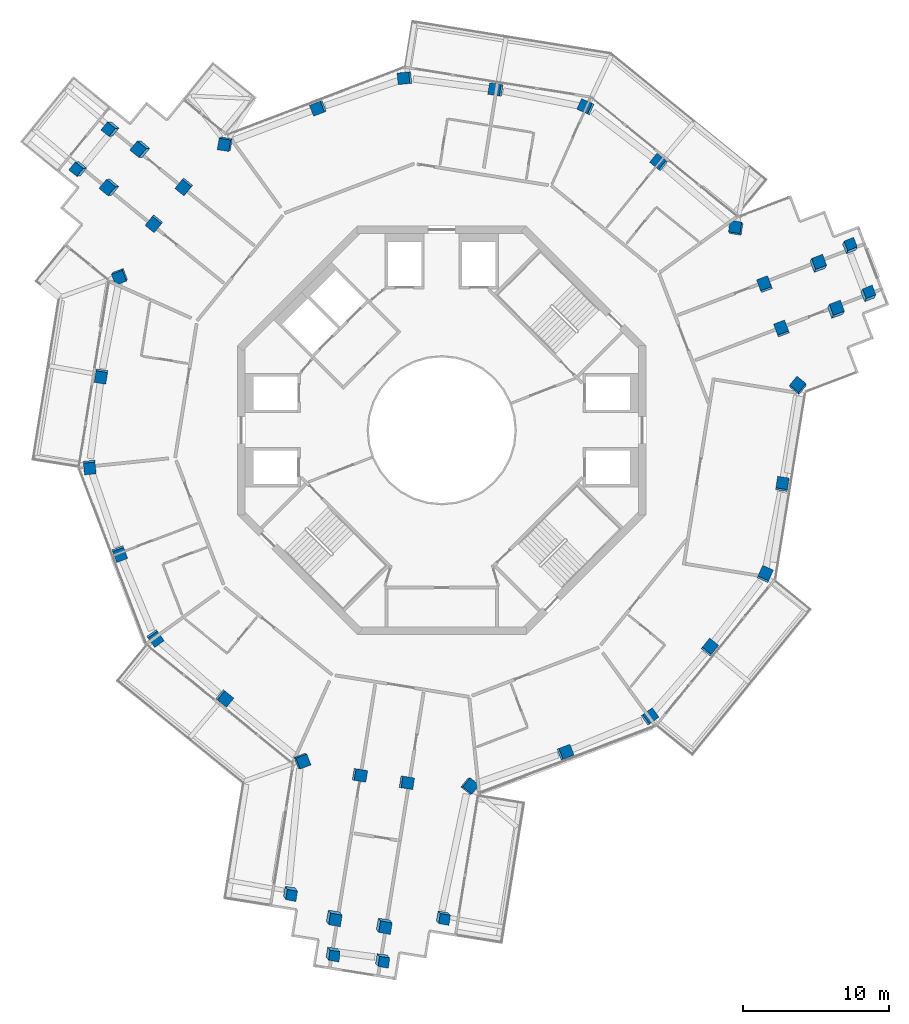
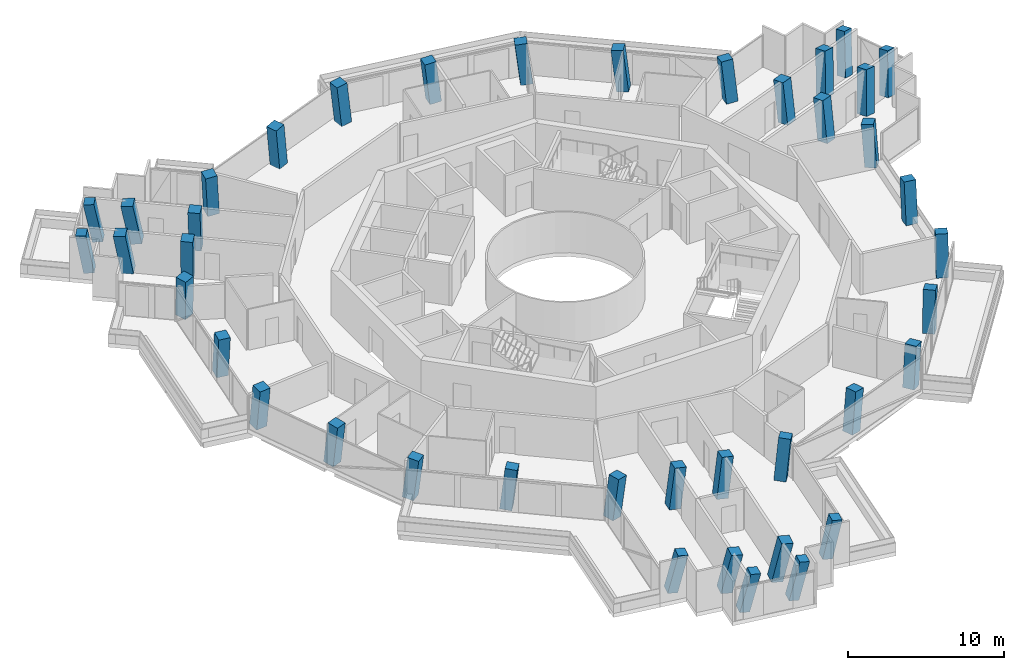
# One storey, part 1 of 23: 41 columns.
"""IFC4 building model written with IfcOpenShell, lengths in metres."""

from ifc_helpers import new_model, si_unit, direction, frame, origin, origin_2d, place, context, subcontext, project, spatial, rectangle, extrude, material, material_profile, profile_set, type_object, element, save


model = new_model("IFC4")

# Units and contexts
model_context = context("Model", 3, precision=1e-05, world=origin(), true_north=direction((0.0, 1.0)))
body_context = subcontext(model_context, "Body", "Model", "MODEL_VIEW")
ifc_project = project(units=[si_unit("LENGTHUNIT", "METRE"), si_unit("AREAUNIT", "SQUARE_METRE"), si_unit("VOLUMEUNIT", "CUBIC_METRE"), si_unit("PLANEANGLEUNIT", "RADIAN"), si_unit("MASSUNIT", "GRAM", prefix="KILO")], contexts=[model_context])

# Site, building, storey
site_placement = place(None, origin())
site = spatial("IfcSite", under=ifc_project, at=site_placement, CompositionType="ELEMENT")
building_placement = place(site_placement, origin())
building = spatial("IfcBuilding", under=site, at=building_placement, Name="Verdalira Terraces Hotel", CompositionType="ELEMENT")
storey_placement = place(building_placement, frame((0.0, 0.0, 241.0)))
storey = spatial("IfcBuildingStorey", under=building, at=storey_placement, Name="L59", CompositionType="ELEMENT", Elevation=241.0)

# Columns
ifc_material_1 = material(Name="Concrete C50", Category="concrete")
ifc_material_profile_1 = material_profile(ifc_material_1, rectangle(XDim=0.699951, YDim=0.699951, at=origin_2d()), Name="RC 700X700")
ifc_profile_set_1 = profile_set([ifc_material_profile_1], Name="Concrete C50")
column_type_1 = type_object("IfcColumnType", Name="Column RC 700X700 C50", PredefinedType="COLUMN", material=ifc_profile_set_1)
column_1_placement = place(storey_placement, frame((-10.452637, -31.674561, 0.0), z_axis=(0.126605952, -0.195453985, 0.972506387), x_axis=(-0.183132411, -0.968148438, -0.170736994)))
element("IfcColumn", 1, at=column_1_placement, inside=storey, type_object=column_type_1, Name="Column C08", PredefinedType="COLUMN", context=body_context, shape_type="SweptSolid", body=[
    extrude(rectangle(XDim=0.699951, YDim=0.699951, at=origin_2d()), origin(), (0.0, 0.0, 1.0), 3.280029),
])
column_2_placement = place(storey_placement, frame((-7.537598, -35.849365, 0.0), z_axis=(0.146022744, -0.181746963, 0.972443006), x_axis=(0.976870851, -0.128721957, -0.170745418)))
element("IfcColumn", 2, at=column_2_placement, inside=storey, type_object=column_type_1, Name="Column C09", PredefinedType="COLUMN", context=body_context, shape_type="SweptSolid", body=[
    extrude(rectangle(XDim=0.699951, YDim=0.699951, at=origin_2d()), origin(), (0.0, 0.0, 1.0), 3.280273),
])
column_3_placement = place(storey_placement, frame((-4.14502, -36.29248, 0.0), z_axis=(0.148249972, -0.166380191, 0.974853619), x_axis=(0.976422975, -0.13177416, -0.170978787)))
element("IfcColumn", 3, at=column_3_placement, inside=storey, type_object=column_type_1, Name="Column C10", PredefinedType="COLUMN", context=body_context, shape_type="SweptSolid", body=[
    extrude(rectangle(XDim=0.699951, YDim=0.699951, at=origin_2d()), origin(), (0.0, 0.0, 1.0), 3.272217),
])
column_4_placement = place(storey_placement, frame((0.030029, -33.377441, 0.0), z_axis=(0.135123141, -0.147720637, 0.97975525), x_axis=(0.176756141, 0.976556422, 0.122860982)))
element("IfcColumn", 4, at=column_4_placement, inside=storey, type_object=column_type_1, Name="Column C11", PredefinedType="COLUMN", context=body_context, shape_type="SweptSolid", body=[
    extrude(rectangle(XDim=0.699951, YDim=0.699951, at=origin_2d()), origin(), (0.0, 0.0, 1.0), 3.255859),
])
column_5_placement = place(storey_placement, frame((29.209229, 9.258545, 0.0), z_axis=(0.095014741, 0.192122647, 0.976760507), x_axis=(-0.374327363, 0.916082858, -0.143774902)))
element("IfcColumn", 5, at=column_5_placement, inside=storey, type_object=column_type_1, Name="Column C19", PredefinedType="COLUMN", context=body_context, shape_type="SweptSolid", body=[
    extrude(rectangle(XDim=0.699951, YDim=0.699951, at=origin_2d()), origin(), (0.0, 0.0, 1.0), 3.265869),
])
column_6_placement = place(storey_placement, frame((27.95459, 12.547363, 0.0), z_axis=(0.07988733, 0.186603614, 0.979181855), x_axis=(-0.372145474, 0.91687811, -0.144368546)))
element("IfcColumn", 6, at=column_6_placement, inside=storey, type_object=column_type_1, Name="Column C20", PredefinedType="COLUMN", context=body_context, shape_type="SweptSolid", body=[
    extrude(rectangle(XDim=0.699951, YDim=0.699951, at=origin_2d()), origin(), (0.0, 0.0, 1.0), 3.257812),
])
column_7_placement = place(storey_placement, frame((-22.622803, 20.666504, 0.0), z_axis=(-0.213877307, -0.013755129, 0.976763684), x_axis=(-0.606262924, -0.782161644, -0.14376519)))
element("IfcColumn", 7, at=column_7_placement, inside=storey, type_object=column_type_1, Name="Column C28", PredefinedType="COLUMN", context=body_context, shape_type="SweptSolid", body=[
    extrude(rectangle(XDim=0.699951, YDim=0.699951, at=origin_2d()), origin(), (0.0, 0.0, 1.0), 3.265869),
])
column_8_placement = place(storey_placement, frame((-24.843506, 17.935791, 0.0), z_axis=(-0.201589972, -0.024130844, 0.979172705), x_axis=(-0.607928582, -0.780750598, -0.144399937)))
element("IfcColumn", 8, at=column_8_placement, inside=storey, type_object=column_type_1, Name="Column C29", PredefinedType="COLUMN", context=body_context, shape_type="SweptSolid", body=[
    extrude(rectangle(XDim=0.699951, YDim=0.699951, at=origin_2d()), origin(), (0.0, 0.0, 1.0), 3.257812),
])
ifc_material_2 = material(Name="Concrete C50", Category="concrete")
ifc_material_profile_2 = material_profile(ifc_material_2, rectangle(XDim=0.800049, YDim=0.800049, at=origin_2d()), Name="RC 800X800")
ifc_profile_set_2 = profile_set([ifc_material_profile_2], Name="Concrete C50")
column_type_2 = type_object("IfcColumnType", Name="Column RC 800X800 C50", PredefinedType="COLUMN", material=ifc_profile_set_2)
column_9_placement = place(storey_placement, frame((-22.079834, 10.583984, 0.0), z_axis=(-0.0494849, -0.105430961, 0.993194622), x_axis=(-0.361383921, 0.928926692, 0.080603122)))
element("IfcColumn", 9, at=column_9_placement, inside=storey, type_object=column_type_2, Name="Column C01", PredefinedType="COLUMN", context=body_context, shape_type="SweptSolid", body=[
    extrude(rectangle(XDim=0.800049, YDim=0.800049, at=origin_2d()), origin(), (0.0, 0.0, 1.0), 3.211914),
])
column_10_placement = place(storey_placement, frame((-23.359375, 3.75, 0.0), z_axis=(-0.016882596, -0.111333877, 0.993639646), x_axis=(-0.157302824, -0.981109815, -0.112602632)))
element("IfcColumn", 10, at=column_10_placement, inside=storey, type_object=column_type_2, Name="Column C02", PredefinedType="COLUMN", context=body_context, shape_type="SweptSolid", body=[
    extrude(rectangle(XDim=0.800049, YDim=0.800049, at=origin_2d()), origin(), (0.0, 0.0, 1.0), 3.210449),
])
column_11_placement = place(storey_placement, frame((-24.158203, -2.488037, 0.0), z_axis=(0.012847755, -0.114793547, 0.993306285), x_axis=(-0.10209663, 0.988045851, 0.115506166)))
element("IfcColumn", 11, at=column_11_placement, inside=storey, type_object=column_type_2, Name="Column C03", PredefinedType="COLUMN", context=body_context, shape_type="SweptSolid", body=[
    extrude(rectangle(XDim=0.800049, YDim=0.800049, at=origin_2d()), origin(), (0.0, 0.0, 1.0), 3.211426),
])
column_12_placement = place(storey_placement, frame((-22.104736, -8.432129, 0.0), z_axis=(0.040990103, -0.104794735, 0.993648768), x_axis=(0.354093219, -0.928416268, -0.112522108)))
element("IfcColumn", 12, at=column_12_placement, inside=storey, type_object=column_type_2, Name="Column C04", PredefinedType="COLUMN", context=body_context, shape_type="SweptSolid", body=[
    extrude(rectangle(XDim=0.800049, YDim=0.800049, at=origin_2d()), origin(), (0.0, 0.0, 1.0), 3.210449),
])
column_13_placement = place(storey_placement, frame((-19.67749, -14.233643, 0.0), z_axis=(0.068496241, -0.092975475, 0.993309532), x_axis=(-0.582352668, 0.804692577, 0.115478247)))
element("IfcColumn", 13, at=column_13_placement, inside=storey, type_object=column_type_2, Name="Column C05", PredefinedType="COLUMN", context=body_context, shape_type="SweptSolid", body=[
    extrude(rectangle(XDim=0.800049, YDim=0.800049, at=origin_2d()), origin(), (0.0, 0.0, 1.0), 3.211426),
])
column_14_placement = place(storey_placement, frame((-14.927002, -18.354736, 0.0), z_axis=(0.087836342, -0.070269074, 0.993653377), x_axis=(0.770618179, -0.627292241, -0.112481404)))
element("IfcColumn", 14, at=column_14_placement, inside=storey, type_object=column_type_2, Name="Column C06", PredefinedType="COLUMN", context=body_context, shape_type="SweptSolid", body=[
    extrude(rectangle(XDim=0.800049, YDim=0.800049, at=origin_2d()), origin(), (0.0, 0.0, 1.0), 3.210205),
])
column_15_placement = place(storey_placement, frame((-9.615479, -22.674561, 0.0), z_axis=(0.108159867, -0.044768912, 0.993124961), x_axis=(-0.349087537, 0.933659879, 0.080106937)))
element("IfcColumn", 15, at=column_15_placement, inside=storey, type_object=column_type_2, Name="Column C07", PredefinedType="COLUMN", context=body_context, shape_type="SweptSolid", body=[
    extrude(rectangle(XDim=0.800049, YDim=0.800049, at=origin_2d()), origin(), (0.0, 0.0, 1.0), 3.211914),
])
column_16_placement = place(storey_placement, frame((1.874023, -24.413818, 0.0), z_axis=(0.115997442, 0.009957841, 0.993199595), x_axis=(-0.623107576, -0.777974818, 0.080573769)))
element("IfcColumn", 16, at=column_16_placement, inside=storey, type_object=column_type_2, Name="Column C12", PredefinedType="COLUMN", context=body_context, shape_type="SweptSolid", body=[
    extrude(rectangle(XDim=0.800049, YDim=0.800049, at=origin_2d()), origin(), (0.0, 0.0, 1.0), 3.21167),
])
column_17_placement = place(storey_placement, frame((8.432129, -22.104736, 0.0), z_axis=(0.104794735, 0.040990103, 0.993648768), x_axis=(0.928416268, 0.354093219, -0.112522108)))
element("IfcColumn", 17, at=column_17_placement, inside=storey, type_object=column_type_2, Name="Column C13", PredefinedType="COLUMN", context=body_context, shape_type="SweptSolid", body=[
    extrude(rectangle(XDim=0.800049, YDim=0.800049, at=origin_2d()), origin(), (0.0, 0.0, 1.0), 3.210449),
])
column_18_placement = place(storey_placement, frame((14.233643, -19.67749, 0.0), z_axis=(0.092975475, 0.068496241, 0.993309532), x_axis=(-0.804692577, -0.582352668, 0.115478247)))
element("IfcColumn", 18, at=column_18_placement, inside=storey, type_object=column_type_2, Name="Column C14", PredefinedType="COLUMN", context=body_context, shape_type="SweptSolid", body=[
    extrude(rectangle(XDim=0.800049, YDim=0.800049, at=origin_2d()), origin(), (0.0, 0.0, 1.0), 3.211426),
])
column_19_placement = place(storey_placement, frame((18.354736, -14.927002, 0.0), z_axis=(0.070269074, 0.087836342, 0.993653377), x_axis=(0.627292241, 0.770618179, -0.112481404)))
element("IfcColumn", 19, at=column_19_placement, inside=storey, type_object=column_type_2, Name="Column C15", PredefinedType="COLUMN", context=body_context, shape_type="SweptSolid", body=[
    extrude(rectangle(XDim=0.800049, YDim=0.800049, at=origin_2d()), origin(), (0.0, 0.0, 1.0), 3.210205),
])
column_20_placement = place(storey_placement, frame((22.165527, -9.924316, 0.0), z_axis=(0.046297918, 0.10574779, 0.993314607), x_axis=(-0.406090601, -0.906512702, 0.115434589)))
element("IfcColumn", 20, at=column_20_placement, inside=storey, type_object=column_type_2, Name="Column C16", PredefinedType="COLUMN", context=body_context, shape_type="SweptSolid", body=[
    extrude(rectangle(XDim=0.800049, YDim=0.800049, at=origin_2d()), origin(), (0.0, 0.0, 1.0), 3.211426),
])
column_21_placement = place(storey_placement, frame((23.359375, -3.75, 0.0), z_axis=(0.016882596, 0.111333877, 0.993639646), x_axis=(0.157302824, 0.981109815, -0.112602632)))
element("IfcColumn", 21, at=column_21_placement, inside=storey, type_object=column_type_2, Name="Column C17", PredefinedType="COLUMN", context=body_context, shape_type="SweptSolid", body=[
    extrude(rectangle(XDim=0.800049, YDim=0.800049, at=origin_2d()), origin(), (0.0, 0.0, 1.0), 3.210449),
])
column_22_placement = place(storey_placement, frame((24.444336, 3.01001, 0.0), z_axis=(-0.015277664, 0.11606464, 0.993124158), x_axis=(-0.634242484, -0.768972433, 0.0801116)))
element("IfcColumn", 22, at=column_22_placement, inside=storey, type_object=column_type_2, Name="Column C18", PredefinedType="COLUMN", context=body_context, shape_type="SweptSolid", body=[
    extrude(rectangle(XDim=0.800049, YDim=0.800049, at=origin_2d()), origin(), (0.0, 0.0, 1.0), 3.211914),
])
column_23_placement = place(storey_placement, frame((20.205811, 13.829834, 0.0), z_axis=(-0.066512326, 0.095549708, 0.993200062), x_axis=(0.985129194, -0.151752375, 0.080571007)))
element("IfcColumn", 23, at=column_23_placement, inside=storey, type_object=column_type_2, Name="Column C21", PredefinedType="COLUMN", context=body_context, shape_type="SweptSolid", body=[
    extrude(rectangle(XDim=0.800049, YDim=0.800049, at=origin_2d()), origin(), (0.0, 0.0, 1.0), 3.21167),
])
column_24_placement = place(storey_placement, frame((14.927002, 18.354736, 0.0), z_axis=(-0.087836342, 0.070269074, 0.993653377), x_axis=(-0.770618179, 0.627292241, -0.112481404)))
element("IfcColumn", 24, at=column_24_placement, inside=storey, type_object=column_type_2, Name="Column C22", PredefinedType="COLUMN", context=body_context, shape_type="SweptSolid", body=[
    extrude(rectangle(XDim=0.800049, YDim=0.800049, at=origin_2d()), origin(), (0.0, 0.0, 1.0), 3.210205),
])
column_25_placement = place(storey_placement, frame((9.924316, 22.165527, 0.0), z_axis=(-0.10574779, 0.046297918, 0.993314607), x_axis=(0.906512702, -0.406090601, 0.115434589)))
element("IfcColumn", 25, at=column_25_placement, inside=storey, type_object=column_type_2, Name="Column C23", PredefinedType="COLUMN", context=body_context, shape_type="SweptSolid", body=[
    extrude(rectangle(XDim=0.800049, YDim=0.800049, at=origin_2d()), origin(), (0.0, 0.0, 1.0), 3.211426),
])
column_26_placement = place(storey_placement, frame((3.75, 23.359375, 0.0), z_axis=(-0.111333877, 0.016882596, 0.993639646), x_axis=(-0.981109815, 0.157302824, -0.112602632)))
element("IfcColumn", 26, at=column_26_placement, inside=storey, type_object=column_type_2, Name="Column C24", PredefinedType="COLUMN", context=body_context, shape_type="SweptSolid", body=[
    extrude(rectangle(XDim=0.800049, YDim=0.800049, at=origin_2d()), origin(), (0.0, 0.0, 1.0), 3.210449),
])
column_27_placement = place(storey_placement, frame((-2.488037, 24.158203, 0.0), z_axis=(-0.114793547, -0.012847755, 0.993306285), x_axis=(0.988045851, 0.10209663, 0.115506166)))
element("IfcColumn", 27, at=column_27_placement, inside=storey, type_object=column_type_2, Name="Column C25", PredefinedType="COLUMN", context=body_context, shape_type="SweptSolid", body=[
    extrude(rectangle(XDim=0.800049, YDim=0.800049, at=origin_2d()), origin(), (0.0, 0.0, 1.0), 3.211426),
])
column_28_placement = place(storey_placement, frame((-8.432129, 22.104736, 0.0), z_axis=(-0.104794735, -0.040990103, 0.993648768), x_axis=(-0.928416268, -0.354093219, -0.112522108)))
element("IfcColumn", 28, at=column_28_placement, inside=storey, type_object=column_type_2, Name="Column C26", PredefinedType="COLUMN", context=body_context, shape_type="SweptSolid", body=[
    extrude(rectangle(XDim=0.800049, YDim=0.800049, at=origin_2d()), origin(), (0.0, 0.0, 1.0), 3.210449),
])
column_29_placement = place(storey_placement, frame((-14.828857, 19.664551, 0.0), z_axis=(-0.092881848, -0.071295559, 0.993121295), x_axis=(0.983100572, -0.164598703, 0.08012822)))
element("IfcColumn", 29, at=column_29_placement, inside=storey, type_object=column_type_2, Name="Column C27", PredefinedType="COLUMN", context=body_context, shape_type="SweptSolid", body=[
    extrude(rectangle(XDim=0.800049, YDim=0.800049, at=origin_2d()), origin(), (0.0, 0.0, 1.0), 3.211914),
])
for number, where, z_axis, x_axis, name in (
    (30, (-17.648926, 16.746094, 0.0), (-0.078909339, -0.084610881, 0.993284609), (-0.77537447, 0.631453444, -0.007808895), "Column C30"),
    (31, (-19.703613, 14.219482, 0.0), (-0.066823702, -0.094191771, 0.993308866), (-0.776176491, 0.630470276, 0.007568769), "Column C31"),
):
    element("IfcColumn", number, at=place(storey_placement, frame(where, z_axis=z_axis, x_axis=x_axis)), inside=storey, type_object=column_type_2, Name=name, PredefinedType="COLUMN", context=body_context, shape_type="SweptSolid", body=[
        extrude(rectangle(XDim=0.800049, YDim=0.800049, at=origin_2d()), origin(), (0.0, 0.0, 1.0), 3.211426),
    ])
column_30_placement = place(storey_placement, frame((-20.57959, 19.280029, 0.0), z_axis=(-0.207747757, -0.004117523, 0.978173765), x_axis=(-0.752294287, 0.639827106, -0.157081445)))
element("IfcColumn", 32, at=column_30_placement, inside=storey, type_object=column_type_2, Name="Column C32", PredefinedType="COLUMN", context=body_context, shape_type="SweptSolid", body=[
    extrude(rectangle(XDim=0.800049, YDim=0.800049, at=origin_2d()), origin(), (0.0, 0.0, 1.0), 3.26123),
])
column_31_placement = place(storey_placement, frame((-22.708008, 16.662842, 0.0), z_axis=(-0.195865912, -0.014033305, 0.98053027), x_axis=(-0.755525485, 0.639596428, -0.141766186)))
element("IfcColumn", 33, at=column_31_placement, inside=storey, type_object=column_type_2, Name="Column C33", PredefinedType="COLUMN", context=body_context, shape_type="SweptSolid", body=[
    extrude(rectangle(XDim=0.800049, YDim=0.800049, at=origin_2d()), origin(), (0.0, 0.0, 1.0), 3.253174),
])
for number, where, z_axis, x_axis, name in (
    (34, (-5.677979, -23.657471, 0.0), (0.112738251, -0.026074997, 0.993282528), (-0.159508465, -0.987165666, -0.0078101), "Column C34"),
    (35, (-2.462646, -24.173584, 0.0), (0.115021485, -0.010719121, 0.993305169), (-0.157408398, -0.987504571, 0.007570853), "Column C35"),
):
    element("IfcColumn", number, at=place(storey_placement, frame(where, z_axis=z_axis, x_axis=x_axis)), inside=storey, type_object=column_type_2, Name=name, PredefinedType="COLUMN", context=body_context, shape_type="SweptSolid", body=[
        extrude(rectangle(XDim=0.800049, YDim=0.800049, at=origin_2d()), origin(), (0.0, 0.0, 1.0), 3.211426),
    ])
column_32_placement = place(storey_placement, frame((-7.45752, -33.370605, 0.0), z_axis=(0.134637208, -0.181827325, 0.974069631), x_axis=(-0.182154736, -0.970809372, -0.156041069)))
element("IfcColumn", 36, at=column_32_placement, inside=storey, type_object=column_type_2, Name="Column C36", PredefinedType="COLUMN", context=body_context, shape_type="SweptSolid", body=[
    extrude(rectangle(XDim=0.800049, YDim=0.800049, at=origin_2d()), origin(), (0.0, 0.0, 1.0), 3.274902),
])
column_33_placement = place(storey_placement, frame((-4.027588, -33.921387, 0.0), z_axis=(0.137436421, -0.166134401, 0.976478669), x_axis=(-0.179617926, -0.973669373, -0.140375758)))
element("IfcColumn", 37, at=column_33_placement, inside=storey, type_object=column_type_2, Name="Column C37", PredefinedType="COLUMN", context=body_context, shape_type="SweptSolid", body=[
    extrude(rectangle(XDim=0.800049, YDim=0.800049, at=origin_2d()), origin(), (0.0, 0.0, 1.0), 3.266846),
])
for number, where, z_axis, x_axis, name in (
    (38, (23.326904, 6.911377, 0.0), (-0.033753044, 0.110685658, 0.993282144), (0.934778538, 0.35514516, -0.007810323), "Column C38"),
    (39, (22.16626, 9.954102, 0.0), (-0.048198022, 0.104986543, 0.993304977), (0.934011638, 0.357162346, 0.007570961), "Column C39"),
):
    element("IfcColumn", number, at=place(storey_placement, frame(where, z_axis=z_axis, x_axis=x_axis)), inside=storey, type_object=column_type_2, Name=name, PredefinedType="COLUMN", context=body_context, shape_type="SweptSolid", body=[
        extrude(rectangle(XDim=0.800049, YDim=0.800049, at=origin_2d()), origin(), (0.0, 0.0, 1.0), 3.211426),
    ])
column_34_placement = place(storey_placement, frame((26.986816, 8.182373, 0.0), z_axis=(0.100317355, 0.181993649, 0.978169075), x_axis=(0.930249588, 0.331595959, -0.157098134)))
element("IfcColumn", 40, at=column_34_placement, inside=storey, type_object=column_type_2, Name="Column C40", PredefinedType="COLUMN", context=body_context, shape_type="SweptSolid", body=[
    extrude(rectangle(XDim=0.800049, YDim=0.800049, at=origin_2d()), origin(), (0.0, 0.0, 1.0), 3.26123),
])
column_35_placement = place(storey_placement, frame((25.784424, 11.334229, 0.0), z_axis=(0.085848946, 0.176725759, 0.980509033), x_axis=(0.931706094, 0.334371646, -0.141842721)))
element("IfcColumn", 41, at=column_35_placement, inside=storey, type_object=column_type_2, Name="Column C41", PredefinedType="COLUMN", context=body_context, shape_type="SweptSolid", body=[
    extrude(rectangle(XDim=0.800049, YDim=0.800049, at=origin_2d()), origin(), (0.0, 0.0, 1.0), 3.253418),
])

save(model, "model.ifc")
